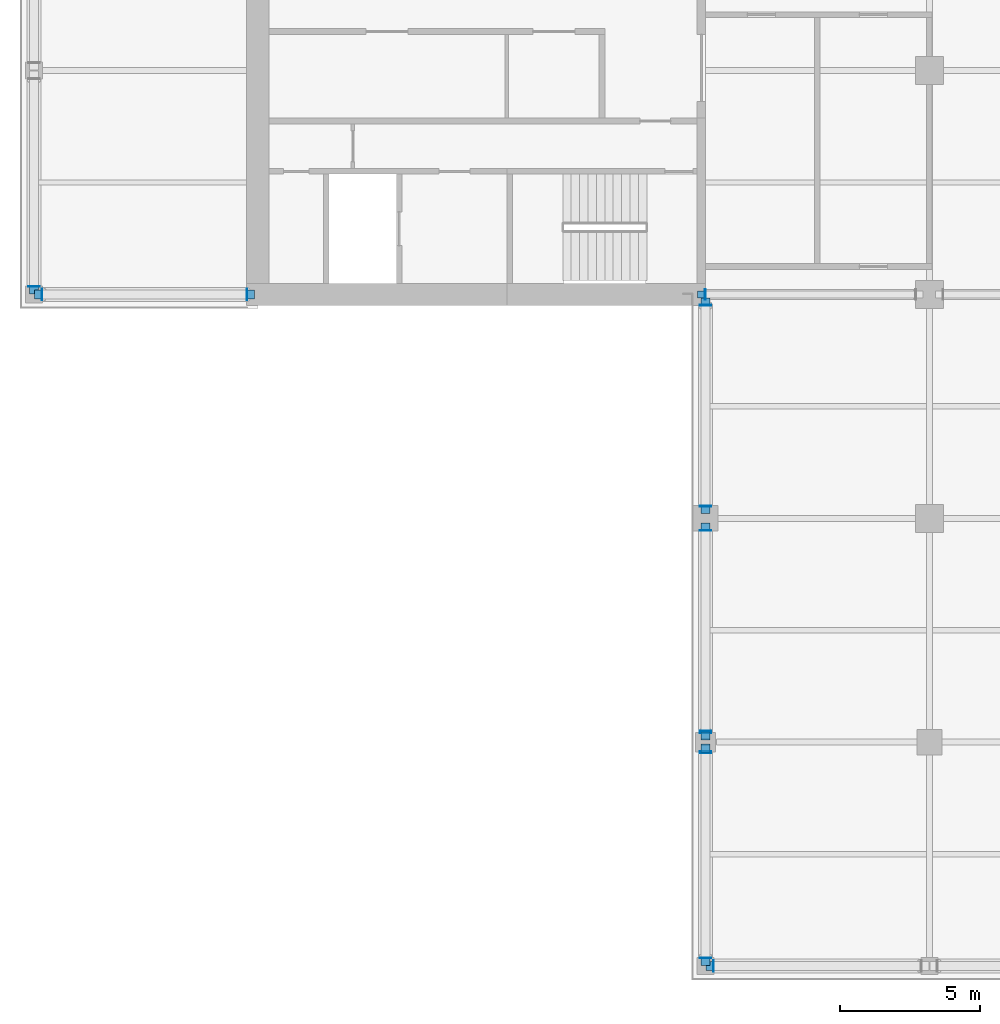
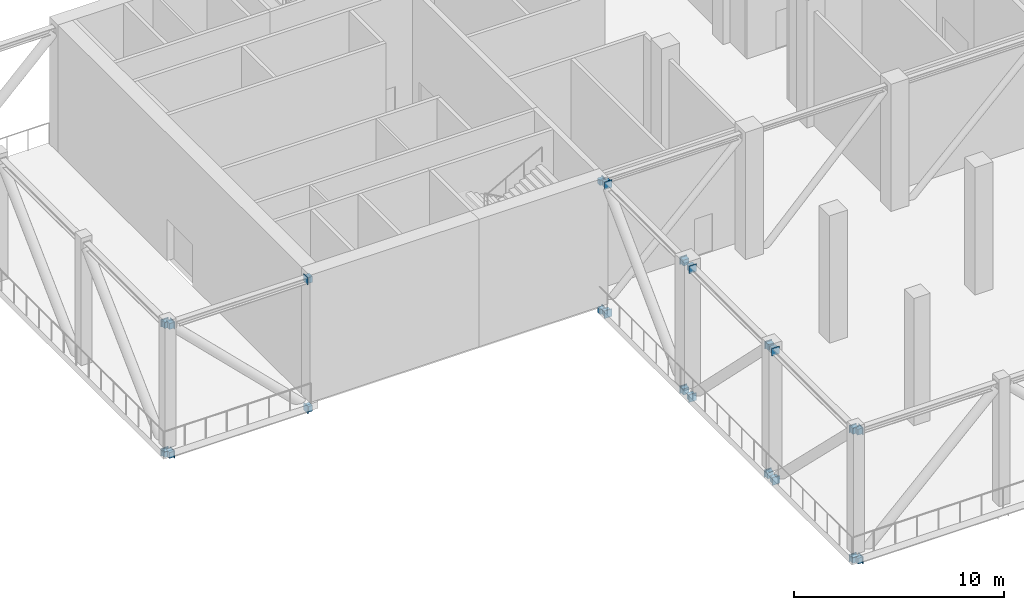
# One storey, part 8 of 18: 44 discrete accessories.
"""IFC4 building model written with IfcOpenShell, lengths in metres."""

from ifc_helpers import new_model, si_unit, direction, frame, origin, origin_2d, place, context, subcontext, project, spatial, rectangle, extrude, material, layer, layer_set, type_object, element, save


model = new_model("IFC4")

# Units and contexts
model_context = context("Model", 3, precision=1e-05, world=origin(), true_north=direction((0.0, 1.0)))
body_context = subcontext(model_context, "Body", "Model", "MODEL_VIEW")
ifc_project = project(units=[si_unit("LENGTHUNIT", "METRE"), si_unit("AREAUNIT", "SQUARE_METRE"), si_unit("VOLUMEUNIT", "CUBIC_METRE"), si_unit("PLANEANGLEUNIT", "RADIAN"), si_unit("MASSUNIT", "GRAM", prefix="KILO")], contexts=[model_context])

# Site, building, storey
site_placement = place(None, origin())
site = spatial("IfcSite", under=ifc_project, at=site_placement, CompositionType="ELEMENT")
building_placement = place(site_placement, origin())
building = spatial("IfcBuilding", under=site, at=building_placement, Name="Crosswind Convention Tower", CompositionType="ELEMENT")
storey_placement = place(building_placement, frame((0.0, 0.0, 105.300048828125)))
storey = spatial("IfcBuildingStorey", under=building, at=storey_placement, Name="L21", CompositionType="ELEMENT", Elevation=105.300048828125)

# Discrete accessories
ifc_material = material(Name="Steel S355", Category="steel")
ifc_layer_1 = layer(ifc_material, 0.030029296875)
ifc_layer_set_1 = layer_set([ifc_layer_1], Name="Steel S355")
discrete_accessory_type_1 = type_object("IfcDiscreteAccessoryType", Name="Cast-in plate 365 x 389 x 30", PredefinedType="ANCHORPLATE", material=ifc_layer_set_1)
for number, where, z_axis, x_axis, name in (
    (1, (112.985107421875, 88.0, -0.7392578125), (0.0, 0.0, 1.0), (1.0, 0.0, 0.0), "EP2 L21 cast-in plate"),
    (2, (112.985107421875, 88.0, 6.7607421875), (0.0, 0.0, 1.0), (1.0, 0.0, 0.0), "EP2 L21 cast-in plate"),
):
    element("IfcDiscreteAccessory", number, at=place(storey_placement, frame(where, z_axis=z_axis, x_axis=x_axis)), inside=storey, type_object=discrete_accessory_type_1, Name=name, PredefinedType="ANCHORPLATE", context=body_context, shape_type="SweptSolid", body=[
        extrude(rectangle(XDim=0.030029296875, YDim=0.364501953125, at=origin_2d()), origin(), (0.0, 0.0, 1.0), 0.38916015625),
    ])
ifc_layer_2 = layer(ifc_material, 0.030029296875)
ifc_layer_set_2 = layer_set([ifc_layer_2], Name="Steel S355")
discrete_accessory_type_2 = type_object("IfcDiscreteAccessoryType", Name="Cast-in plate 414 x 440 x 30", PredefinedType="ANCHORPLATE", material=ifc_layer_set_2)
for number, where, z_axis, x_axis, name in (
    (3, (89.0, 88.284912109375, -0.7900390625), (0.0, 0.0, 1.0), (1.0, 0.0, 0.0), "EP1 L21 cast-in plate"),
    (4, (89.0, 88.284912109375, 6.7099609375), (0.0, 0.0, 1.0), (1.0, 0.0, 0.0), "EP1 L21 cast-in plate"),
):
    element("IfcDiscreteAccessory", number, at=place(storey_placement, frame(where, z_axis=z_axis, x_axis=x_axis)), inside=storey, type_object=discrete_accessory_type_2, Name=name, PredefinedType="ANCHORPLATE", context=body_context, shape_type="SweptSolid", body=[
        extrude(rectangle(XDim=0.4140625, YDim=0.030029296875, at=origin_2d()), origin(), (0.0, 0.0, 1.0), 0.43994140625),
    ])
for number, where, z_axis, x_axis, name in (
    (5, (89.284912109375, 88.0, -0.7900390625), (0.0, 0.0, 1.0), (1.0, 0.0, 0.0), "EP1 L21 cast-in plate"),
    (6, (96.614990234375, 88.0, -0.7900390625), (0.0, 0.0, 1.0), (1.0, 0.0, 0.0), "EP1 L21 cast-in plate"),
    (7, (89.284912109375, 88.0, 6.7099609375), (0.0, 0.0, 1.0), (1.0, 0.0, 0.0), "EP1 L21 cast-in plate"),
    (8, (96.614990234375, 88.0, 6.7099609375), (0.0, 0.0, 1.0), (1.0, 0.0, 0.0), "EP1 L21 cast-in plate"),
):
    element("IfcDiscreteAccessory", number, at=place(storey_placement, frame(where, z_axis=z_axis, x_axis=x_axis)), inside=storey, type_object=discrete_accessory_type_2, Name=name, PredefinedType="ANCHORPLATE", context=body_context, shape_type="SweptSolid", body=[
        extrude(rectangle(XDim=0.030029296875, YDim=0.4140625, at=origin_2d()), origin(), (0.0, 0.0, 1.0), 0.43994140625),
    ])
for number, where, z_axis, x_axis, name in (
    (9, (113.0, 64.284912109375, -0.7900390625), (0.0, 0.0, 1.0), (1.0, 0.0, 0.0), "EP1 L21 cast-in plate"),
    (10, (113.0, 71.614990234375, -0.7900390625), (0.0, 0.0, 1.0), (1.0, 0.0, 0.0), "EP1 L21 cast-in plate"),
    (11, (113.0, 64.284912109375, 6.7099609375), (0.0, 0.0, 1.0), (1.0, 0.0, 0.0), "EP1 L21 cast-in plate"),
    (12, (113.0, 71.6650390625, 6.7099609375), (0.0, 0.0, 1.0), (1.0, 0.0, 0.0), "EP1 L21 cast-in plate"),
):
    element("IfcDiscreteAccessory", number, at=place(storey_placement, frame(where, z_axis=z_axis, x_axis=x_axis)), inside=storey, type_object=discrete_accessory_type_2, Name=name, PredefinedType="ANCHORPLATE", context=body_context, shape_type="SweptSolid", body=[
        extrude(rectangle(XDim=0.4140625, YDim=0.030029296875, at=origin_2d()), origin(), (0.0, 0.0, 1.0), 0.43994140625),
    ])
for number, where, z_axis, x_axis, name in (
    (13, (113.284912109375, 64.0, -0.7900390625), (0.0, 0.0, 1.0), (1.0, 0.0, 0.0), "EP1 L21 cast-in plate"),
    (14, (113.284912109375, 64.0, 6.7099609375), (0.0, 0.0, 1.0), (1.0, 0.0, 0.0), "EP1 L21 cast-in plate"),
):
    element("IfcDiscreteAccessory", number, at=place(storey_placement, frame(where, z_axis=z_axis, x_axis=x_axis)), inside=storey, type_object=discrete_accessory_type_2, Name=name, PredefinedType="ANCHORPLATE", context=body_context, shape_type="SweptSolid", body=[
        extrude(rectangle(XDim=0.030029296875, YDim=0.4140625, at=origin_2d()), origin(), (0.0, 0.0, 1.0), 0.43994140625),
    ])
for number, where, z_axis, x_axis, name in (
    (15, (113.0, 72.385009765625, -0.7900390625), (0.0, 0.0, 1.0), (1.0, 0.0, 0.0), "EP1 L21 cast-in plate"),
    (16, (113.0, 79.56494140625, -0.7900390625), (0.0, 0.0, 1.0), (1.0, 0.0, 0.0), "EP1 L21 cast-in plate"),
    (17, (113.0, 72.3349609375, 6.7099609375), (0.0, 0.0, 1.0), (1.0, 0.0, 0.0), "EP1 L21 cast-in plate"),
    (18, (113.0, 79.56494140625, 6.7099609375), (0.0, 0.0, 1.0), (1.0, 0.0, 0.0), "EP1 L21 cast-in plate"),
    (19, (113.0, 80.43505859375, -0.7900390625), (0.0, 0.0, 1.0), (1.0, 0.0, 0.0), "EP1 L21 cast-in plate"),
    (20, (113.0, 87.614990234375, -0.7900390625), (0.0, 0.0, 1.0), (1.0, 0.0, 0.0), "EP1 L21 cast-in plate"),
    (21, (113.0, 80.43505859375, 6.7099609375), (0.0, 0.0, 1.0), (1.0, 0.0, 0.0), "EP1 L21 cast-in plate"),
    (22, (113.0, 87.614990234375, 6.7099609375), (0.0, 0.0, 1.0), (1.0, 0.0, 0.0), "EP1 L21 cast-in plate"),
):
    element("IfcDiscreteAccessory", number, at=place(storey_placement, frame(where, z_axis=z_axis, x_axis=x_axis)), inside=storey, type_object=discrete_accessory_type_2, Name=name, PredefinedType="ANCHORPLATE", context=body_context, shape_type="SweptSolid", body=[
        extrude(rectangle(XDim=0.4140625, YDim=0.030029296875, at=origin_2d()), origin(), (0.0, 0.0, 1.0), 0.43994140625),
    ])
discrete_accessory_type_3 = type_object("IfcDiscreteAccessoryType", Name="Headed stud group 265 x 289 x 250", PredefinedType="USERDEFINED", material=ifc_material)
for number, where, z_axis, x_axis, name in (
    (23, (112.844970703125, 88.0, -0.689208984375), (0.0, 0.0, 1.0), (1.0, 0.0, 0.0), "AB2 L21 headed stud group"),
    (24, (112.844970703125, 88.0, 6.810791015625), (0.0, 0.0, 1.0), (1.0, 0.0, 0.0), "AB2 L21 headed stud group"),
):
    element("IfcDiscreteAccessory", number, at=place(storey_placement, frame(where, z_axis=z_axis, x_axis=x_axis)), inside=storey, type_object=discrete_accessory_type_3, Name=name, ObjectType="HEADED STUD GROUP", PredefinedType="USERDEFINED", context=body_context, shape_type="SweptSolid", body=[
        extrude(rectangle(XDim=0.25, YDim=0.264404296875, at=origin_2d()), origin(), (0.0, 0.0, 1.0), 0.2890625),
    ])
discrete_accessory_type_4 = type_object("IfcDiscreteAccessoryType", Name="Headed stud group 314 x 340 x 250", PredefinedType="USERDEFINED", material=ifc_material)
for number, where, z_axis, x_axis, name in (
    (25, (89.0, 88.14501953125, -0.739990234375), (0.0, 0.0, 1.0), (1.0, 0.0, 0.0), "AB1 L21 headed stud group"),
    (26, (89.0, 88.14501953125, 6.760009765625), (0.0, 0.0, 1.0), (1.0, 0.0, 0.0), "AB1 L21 headed stud group"),
):
    element("IfcDiscreteAccessory", number, at=place(storey_placement, frame(where, z_axis=z_axis, x_axis=x_axis)), inside=storey, type_object=discrete_accessory_type_4, Name=name, ObjectType="HEADED STUD GROUP", PredefinedType="USERDEFINED", context=body_context, shape_type="SweptSolid", body=[
        extrude(rectangle(XDim=0.314208984375, YDim=0.25, at=origin_2d()), origin(), (0.0, 0.0, 1.0), 0.33984375),
    ])
for number, where, z_axis, x_axis, name in (
    (27, (89.14501953125, 88.0, -0.739990234375), (0.0, 0.0, 1.0), (1.0, 0.0, 0.0), "AB1 L21 headed stud group"),
    (28, (96.7548828125, 88.0, -0.739990234375), (0.0, 0.0, 1.0), (1.0, 0.0, 0.0), "AB1 L21 headed stud group"),
    (29, (89.14501953125, 88.0, 6.760009765625), (0.0, 0.0, 1.0), (1.0, 0.0, 0.0), "AB1 L21 headed stud group"),
    (30, (96.7548828125, 88.0, 6.760009765625), (0.0, 0.0, 1.0), (1.0, 0.0, 0.0), "AB1 L21 headed stud group"),
):
    element("IfcDiscreteAccessory", number, at=place(storey_placement, frame(where, z_axis=z_axis, x_axis=x_axis)), inside=storey, type_object=discrete_accessory_type_4, Name=name, ObjectType="HEADED STUD GROUP", PredefinedType="USERDEFINED", context=body_context, shape_type="SweptSolid", body=[
        extrude(rectangle(XDim=0.25, YDim=0.314208984375, at=origin_2d()), origin(), (0.0, 0.0, 1.0), 0.33984375),
    ])
for number, where, z_axis, x_axis, name in (
    (31, (113.0, 64.14501953125, -0.739990234375), (0.0, 0.0, 1.0), (1.0, 0.0, 0.0), "AB1 L21 headed stud group"),
    (32, (113.0, 71.7548828125, -0.739990234375), (0.0, 0.0, 1.0), (1.0, 0.0, 0.0), "AB1 L21 headed stud group"),
    (33, (113.0, 64.14501953125, 6.760009765625), (0.0, 0.0, 1.0), (1.0, 0.0, 0.0), "AB1 L21 headed stud group"),
    (34, (113.0, 71.804931640625, 6.760009765625), (0.0, 0.0, 1.0), (1.0, 0.0, 0.0), "AB1 L21 headed stud group"),
):
    element("IfcDiscreteAccessory", number, at=place(storey_placement, frame(where, z_axis=z_axis, x_axis=x_axis)), inside=storey, type_object=discrete_accessory_type_4, Name=name, ObjectType="HEADED STUD GROUP", PredefinedType="USERDEFINED", context=body_context, shape_type="SweptSolid", body=[
        extrude(rectangle(XDim=0.314208984375, YDim=0.25, at=origin_2d()), origin(), (0.0, 0.0, 1.0), 0.33984375),
    ])
for number, where, z_axis, x_axis, name in (
    (35, (113.14501953125, 64.0, -0.739990234375), (0.0, 0.0, 1.0), (1.0, 0.0, 0.0), "AB1 L21 headed stud group"),
    (36, (113.14501953125, 64.0, 6.760009765625), (0.0, 0.0, 1.0), (1.0, 0.0, 0.0), "AB1 L21 headed stud group"),
):
    element("IfcDiscreteAccessory", number, at=place(storey_placement, frame(where, z_axis=z_axis, x_axis=x_axis)), inside=storey, type_object=discrete_accessory_type_4, Name=name, ObjectType="HEADED STUD GROUP", PredefinedType="USERDEFINED", context=body_context, shape_type="SweptSolid", body=[
        extrude(rectangle(XDim=0.25, YDim=0.314208984375, at=origin_2d()), origin(), (0.0, 0.0, 1.0), 0.33984375),
    ])
for number, where, z_axis, x_axis, name in (
    (37, (113.0, 72.2451171875, -0.739990234375), (0.0, 0.0, 1.0), (1.0, 0.0, 0.0), "AB1 L21 headed stud group"),
    (38, (113.0, 79.705078125, -0.739990234375), (0.0, 0.0, 1.0), (1.0, 0.0, 0.0), "AB1 L21 headed stud group"),
    (39, (113.0, 72.195068359375, 6.760009765625), (0.0, 0.0, 1.0), (1.0, 0.0, 0.0), "AB1 L21 headed stud group"),
    (40, (113.0, 79.705078125, 6.760009765625), (0.0, 0.0, 1.0), (1.0, 0.0, 0.0), "AB1 L21 headed stud group"),
    (41, (113.0, 80.294921875, -0.739990234375), (0.0, 0.0, 1.0), (1.0, 0.0, 0.0), "AB1 L21 headed stud group"),
    (42, (113.0, 87.7548828125, -0.739990234375), (0.0, 0.0, 1.0), (1.0, 0.0, 0.0), "AB1 L21 headed stud group"),
    (43, (113.0, 80.294921875, 6.760009765625), (0.0, 0.0, 1.0), (1.0, 0.0, 0.0), "AB1 L21 headed stud group"),
    (44, (113.0, 87.7548828125, 6.760009765625), (0.0, 0.0, 1.0), (1.0, 0.0, 0.0), "AB1 L21 headed stud group"),
):
    element("IfcDiscreteAccessory", number, at=place(storey_placement, frame(where, z_axis=z_axis, x_axis=x_axis)), inside=storey, type_object=discrete_accessory_type_4, Name=name, ObjectType="HEADED STUD GROUP", PredefinedType="USERDEFINED", context=body_context, shape_type="SweptSolid", body=[
        extrude(rectangle(XDim=0.314208984375, YDim=0.25, at=origin_2d()), origin(), (0.0, 0.0, 1.0), 0.33984375),
    ])

save(model, "model.ifc")
